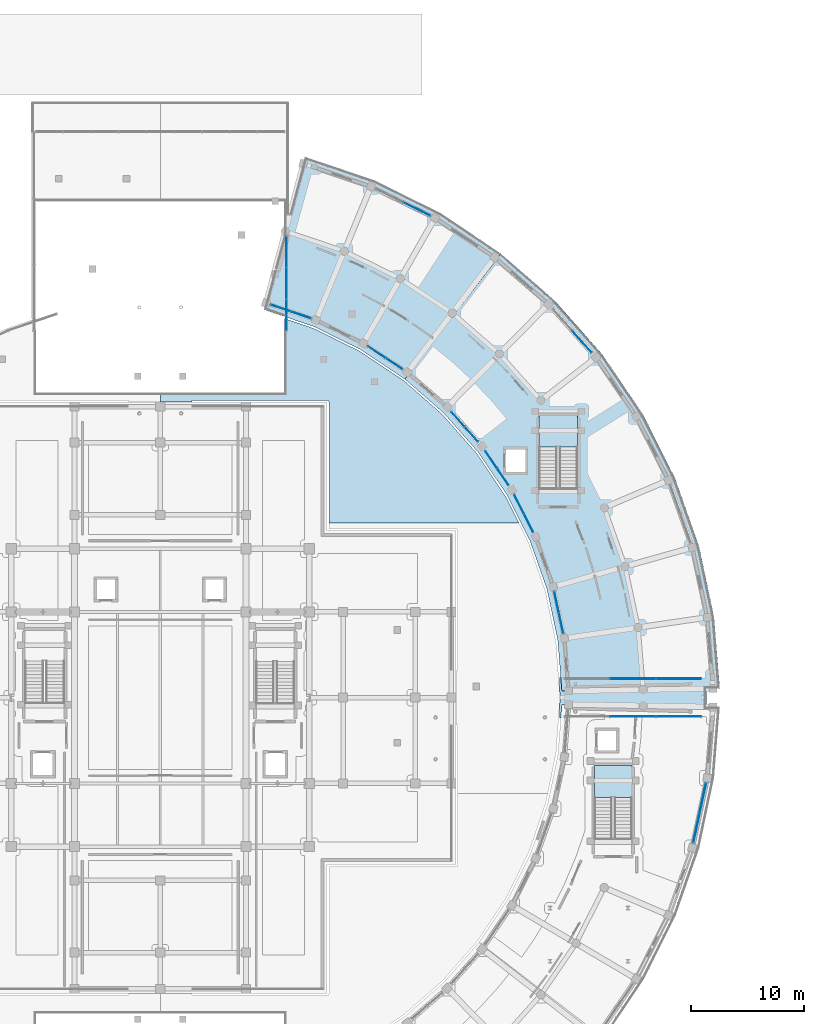
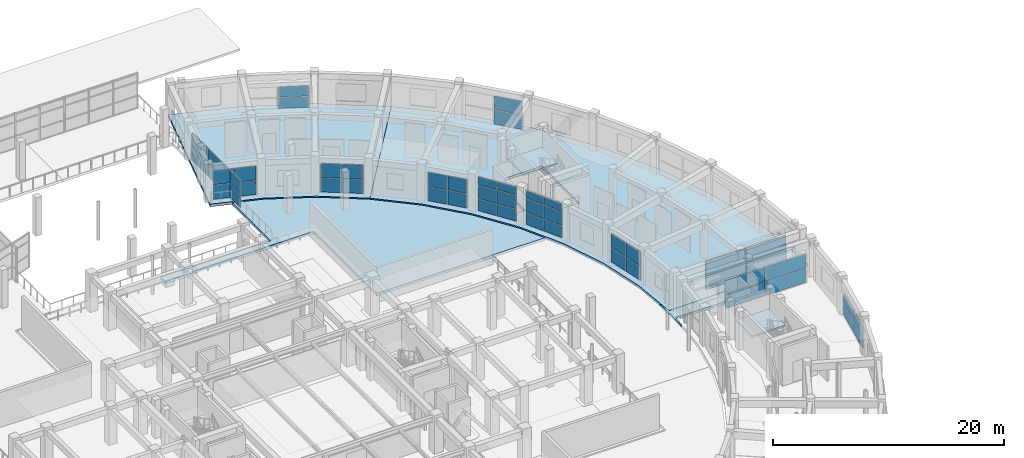
# One storey, part 51 of 87: 50 plates, 6 slabs, 14 elements without a shape of their own.
"""IFC4 building model written with IfcOpenShell, lengths in metres."""

import ifcopenshell
import ifcopenshell.guid

model = None  # the IFC model being written
_history = None  # IfcOwnerHistory: only IFC2X3 demands one
_inside = {}  # id of a spatial element -> (the spatial element, [elements in it])
_under = {}  # id of a project, library or spatial element -> (it, [spatial elements below it])
_declared = {}  # id of a project -> (the project, [libraries it declares])
_typed = {}  # id of a type object -> (the type object, [elements of that type])
_made_of = {}  # id of a material, layer set ... -> (it, [elements and type objects made of it])


def new_model(schema):
    """Start an empty IFC model of exactly this schema.

    Asked for "IFC4X3", IfcOpenShell would pick the latest addendum, in which some entities
    have other attributes; the version numbers below select the first issue.
    IFC2X3 requires an IfcOwnerHistory on every rooted entity: one is made here for all.
    """
    global model, _history
    if schema == "IFC4X3":
        model = ifcopenshell.file(schema_version=(4, 3, 0, 0))
    else:
        model = ifcopenshell.file(schema=schema)
    _inside.clear()
    _under.clear()
    _declared.clear()
    _typed.clear()
    _made_of.clear()
    _history = None
    if model.schema == "IFC2X3":
        org = make("IfcOrganization", Name="unknown")
        user = make(
            "IfcPersonAndOrganization",
            ThePerson=make("IfcPerson", FamilyName="unknown"),
            TheOrganization=org,
        )
        app = make(
            "IfcApplication",
            ApplicationDeveloper=org,
            Version="unknown",
            ApplicationFullName="unknown",
            ApplicationIdentifier="unknown",
        )
        _history = make(
            "IfcOwnerHistory",
            OwningUser=user,
            OwningApplication=app,
            ChangeAction="ADDED",
            CreationDate=0,
        )
    return model


def make(cls, **values):
    """One entity of the class cls with the attributes given. An attribute that is None is left unset."""
    return model.create_entity(
        cls, **{name: value for name, value in values.items() if value is not None}
    )


def rooted(cls, **values):
    """An entity with a GlobalId (a new one), such as an element, a storey or a relation."""
    return make(cls, GlobalId=ifcopenshell.guid.new(), OwnerHistory=_history, **values)


def si_unit(unit_type, name, prefix=None):
    """IfcSIUnit, for example si_unit("LENGTHUNIT", "METRE", prefix="MILLI")."""
    return make("IfcSIUnit", UnitType=unit_type, Prefix=prefix, Name=name)


def assignment(units):
    """IfcUnitAssignment: the units of a project."""
    return None if units is None else make("IfcUnitAssignment", Units=units)


def point(xyz):
    """IfcCartesianPoint."""
    return None if xyz is None else make("IfcCartesianPoint", Coordinates=xyz)


def direction(xyz):
    """IfcDirection."""
    return None if xyz is None else make("IfcDirection", DirectionRatios=xyz)


def frame(location, z_axis=None, x_axis=None):
    """IfcAxis2Placement3D, a coordinate frame: its origin and axes. An axis left out is left unset."""
    return make(
        "IfcAxis2Placement3D",
        Location=point(location),
        Axis=direction(z_axis),
        RefDirection=direction(x_axis),
    )


def frame_2d(location, x_axis=None):
    """IfcAxis2Placement2D, a coordinate frame in the plane: its origin and x axis."""
    return make(
        "IfcAxis2Placement2D", Location=point(location), RefDirection=direction(x_axis)
    )


def origin():
    """The frame at (0, 0, 0) with its axes left unset."""
    return frame((0.0, 0.0, 0.0))


def origin_2d():
    """The frame at (0, 0) in the plane with its x axis left unset."""
    return frame_2d((0.0, 0.0))


def place(relative_to, where):
    """IfcLocalPlacement: puts the frame where relative to a parent placement (None: the world)."""
    return make(
        "IfcLocalPlacement", PlacementRelTo=relative_to, RelativePlacement=where
    )


def context(
    kind, dimensions, precision=None, world=None, true_north=None, identifier=None
):
    """IfcGeometricRepresentationContext, for example the 3D "Model" context."""
    return make(
        "IfcGeometricRepresentationContext",
        ContextIdentifier=identifier,
        ContextType=kind,
        CoordinateSpaceDimension=dimensions,
        Precision=precision,
        WorldCoordinateSystem=world,
        TrueNorth=true_north,
    )


def subcontext(parent, identifier, kind, view, scale=None):
    """IfcGeometricRepresentationSubContext, for example "Body" below "Model"."""
    return make(
        "IfcGeometricRepresentationSubContext",
        ContextIdentifier=identifier,
        ContextType=kind,
        ParentContext=parent,
        TargetScale=scale,
        TargetView=view,
    )


def project(units=None, contexts=None):
    """IfcProject with its units and contexts."""
    return rooted(
        "IfcProject",
        Name="project",
        RepresentationContexts=contexts,
        UnitsInContext=assignment(units),
    )


def spatial(cls, under=None, at=None, **own):
    """A site, building, storey or space (cls), placed at a placement, below another one or the project."""
    s = rooted(cls, ObjectPlacement=at, **own)
    if under is not None:
        _under.setdefault(under.id(), (under, []))[1].append(s)
    return s


def polyline(points):
    """IfcPolyline through the points."""
    return make("IfcPolyline", Points=[point(p) for p in points])


def profile(cls, at=None, kind="AREA", **sizes):
    """A parametric profile (cls). Its sizes go by their IFC names, for example OverallWidth=200.0."""
    return make(cls, ProfileType=kind, Position=at, **sizes)


def rectangle(**sizes):
    """IfcRectangleProfileDef."""
    return profile("IfcRectangleProfileDef", **sizes)


def outline(outer, holes=None, kind="AREA"):
    """IfcArbitraryClosedProfileDef: a profile drawn as a closed curve; with holes, ...WithVoids."""
    if holes is None:
        return make("IfcArbitraryClosedProfileDef", ProfileType=kind, OuterCurve=outer)
    return make(
        "IfcArbitraryProfileDefWithVoids",
        ProfileType=kind,
        OuterCurve=outer,
        InnerCurves=holes,
    )


def extrude(swept, where, along, depth):
    """IfcExtrudedAreaSolid: the profile swept, set in the frame where, extruded along a direction by depth."""
    return make(
        "IfcExtrudedAreaSolid",
        SweptArea=swept,
        Position=where,
        ExtrudedDirection=direction(along),
        Depth=depth,
    )


def shape(context_of_items, identifier, shape_type, items):
    """IfcShapeRepresentation: the items that make up one representation, for example the "Body"."""
    return make(
        "IfcShapeRepresentation",
        ContextOfItems=context_of_items,
        RepresentationIdentifier=identifier,
        RepresentationType=shape_type,
        Items=items,
    )


def material(Name=None, Category=None):
    """IfcMaterial."""
    return make("IfcMaterial", Name=Name, Category=Category)


def layer(
    of_material, thickness, ventilated=None, Name=None, Category=None, Priority=None
):
    """IfcMaterialLayer: one layer of a wall or slab, of a material (None: an air gap)."""
    return make(
        "IfcMaterialLayer",
        Material=of_material,
        LayerThickness=thickness,
        IsVentilated=ventilated,
        Name=Name,
        Category=Category,
        Priority=Priority,
    )


def layer_set(layers, Name=None):
    """IfcMaterialLayerSet."""
    return make("IfcMaterialLayerSet", MaterialLayers=layers, LayerSetName=Name)


def made_of(thing, what):
    """Note that an element or type object is made of a material, layer set ...; save() writes the relation."""
    if what is not None:
        _made_of.setdefault(what.id(), (what, []))[1].append(thing)
    return thing


def type_object(cls, material=None, **own):
    """A type object (cls), such as IfcWallType, which elements share."""
    return made_of(rooted(cls, **own), material)


def element(
    cls,
    number,
    at=None,
    inside=None,
    cuts=None,
    type_object=None,
    material=None,
    context=None,
    identifier="Body",
    shape_type=None,
    held_by="IfcProductDefinitionShape",
    body=None,
    shapes=None,
    **own,
):
    """One element of the class cls, such as IfcWall. Its Tag is "e" and its number.

    at: its placement. inside: the storey or other place that contains it. cuts: it is an
    opening in that element (IfcRelVoidsElement). A single representation is given by context,
    identifier, shape_type and body (its items); several are given by shapes. held_by: the class
    of the entity that holds the representations. save() writes the other relations.
    """
    e = rooted(cls, Tag="e%d" % number, ObjectPlacement=at, **own)
    if body is not None:
        shapes = [shape(context, identifier, shape_type, body)]
    if shapes is not None:
        e.Representation = make(held_by, Representations=shapes)
    if inside is not None:
        _inside.setdefault(inside.id(), (inside, []))[1].append(e)
    if cuts is not None:
        rooted(
            "IfcRelVoidsElement", RelatingBuildingElement=cuts, RelatedOpeningElement=e
        )
    if type_object is not None:
        _typed.setdefault(type_object.id(), (type_object, []))[1].append(e)
    return made_of(e, material)


def aggregate(whole, parts):
    """IfcRelAggregates: a whole, such as a stair, and the parts it consists of."""
    return rooted("IfcRelAggregates", RelatingObject=whole, RelatedObjects=parts)


def save(model, path):
    """Write the relations noted so far, then the file.

    IfcRelAggregates (storeys below a building ...), IfcRelContainedInSpatialStructure (elements
    in a storey), IfcRelDefinesByType, IfcRelAssociatesMaterial and IfcRelDeclares: one each for
    every whole, place, type object, material and project.
    """
    for whole, parts in _under.values():
        aggregate(whole, parts)
    for where, things in _inside.values():
        rooted(
            "IfcRelContainedInSpatialStructure",
            RelatedElements=things,
            RelatingStructure=where,
        )
    for kind, things in _typed.values():
        rooted("IfcRelDefinesByType", RelatedObjects=things, RelatingType=kind)
    for what, things in _made_of.values():
        rooted("IfcRelAssociatesMaterial", RelatedObjects=things, RelatingMaterial=what)
    for by, libraries in _declared.values():
        rooted("IfcRelDeclares", RelatingContext=by, RelatedDefinitions=libraries)
    model.write(path)


model = new_model("IFC4")

# Units and contexts
model_context = context("Model", 3, precision=1e-05, world=origin(), true_north=direction((0.0, 1.0)))
body_context = subcontext(model_context, "Body", "Model", "MODEL_VIEW")
ifc_project = project(units=[si_unit("LENGTHUNIT", "METRE"), si_unit("AREAUNIT", "SQUARE_METRE"), si_unit("VOLUMEUNIT", "CUBIC_METRE"), si_unit("PLANEANGLEUNIT", "RADIAN"), si_unit("MASSUNIT", "GRAM", prefix="KILO")], contexts=[model_context])

# Site, building, storey
site_placement = place(None, origin())
site = spatial("IfcSite", under=ifc_project, at=site_placement, CompositionType="ELEMENT")
building_placement = place(site_placement, origin())
building = spatial("IfcBuilding", under=site, at=building_placement, Name="Saryqyr Civic Hall", CompositionType="ELEMENT")
storey_placement = place(building_placement, frame((0.0, 0.0, 5.10009765625)))
storey = spatial("IfcBuildingStorey", under=building, at=storey_placement, Name="L01", CompositionType="ELEMENT", Elevation=5.10009765625)

# Curtain wall, plates
ifc_material_1 = material(Name="Anodised aluminium and triple low-E glass", Category="aluminium")
curtain_wall_type_1 = type_object("IfcCurtainWallType", Name="ENV-CW-STD-38", PredefinedType="NOTDEFINED", material=ifc_material_1)
curtain_wall_1_placement = place(storey_placement, origin())
curtain_wall_1 = element("IfcCurtainWall", 1, at=curtain_wall_1_placement, inside=storey, type_object=curtain_wall_type_1, Name="Curtain wall V5-CWO-L01-08", PredefinedType="NOTDEFINED")
ifc_material_2 = material(Name="Triple low-E insulated glazing", Category="glass")
ifc_layer_1 = layer(ifc_material_2, 0.053955078125, Name="Triple low-E insulated glazing")
ifc_layer_set_1 = layer_set([ifc_layer_1], Name="Triple low-E insulated glazing")
plate_type = type_object("IfcPlateType", Name="ENV-CW-PNL-38", PredefinedType="CURTAIN_PANEL", material=ifc_layer_set_1)
plate_1_placement = place(storey_placement, frame((105.104736328125, 75.123046875, 0.06005859375), z_axis=(0.0, 0.0, 1.0), x_axis=(-0.208901785507, -0.977936625765, 0.0)))
plate_1 = element("IfcPlate", 2, at=plate_1_placement, type_object=plate_type, Name="CW-38 panel 1.1", PredefinedType="CURTAIN_PANEL", context=body_context, shape_type="SweptSolid", body=[
    extrude(rectangle(XDim=2.67529296875, YDim=0.053955078125, at=origin_2d()), origin(), (0.0, 0.0, 1.0), 1.135009765625),
])
plate_2_placement = place(storey_placement, frame((105.104736328125, 75.123046875, 1.2548828125), z_axis=(0.0, 0.0, 1.0), x_axis=(-0.208901785507, -0.977936625765, 0.0)))
plate_2 = element("IfcPlate", 3, at=plate_2_placement, type_object=plate_type, Name="CW-38 panel 1.2", PredefinedType="CURTAIN_PANEL", context=body_context, shape_type="SweptSolid", body=[
    extrude(rectangle(XDim=2.67529296875, YDim=0.053955078125, at=origin_2d()), origin(), (0.0, 0.0, 1.0), 1.135009765625),
])
plate_3_placement = place(storey_placement, frame((104.533203125, 72.447998046875, 0.06005859375), z_axis=(0.0, 0.0, 1.0), x_axis=(-0.208901785507, -0.977936625765, 0.0)))
plate_3 = element("IfcPlate", 4, at=plate_3_placement, type_object=plate_type, Name="CW-38 panel 2.1", PredefinedType="CURTAIN_PANEL", context=body_context, shape_type="SweptSolid", body=[
    extrude(rectangle(XDim=2.67529296875, YDim=0.053955078125, at=origin_2d()), origin(), (0.0, 0.0, 1.0), 1.135009765625),
])
plate_4_placement = place(storey_placement, frame((104.533203125, 72.447998046875, 1.2548828125), z_axis=(0.0, 0.0, 1.0), x_axis=(-0.208901785507, -0.977936625765, 0.0)))
plate_4 = element("IfcPlate", 5, at=plate_4_placement, type_object=plate_type, Name="CW-38 panel 2.2", PredefinedType="CURTAIN_PANEL", context=body_context, shape_type="SweptSolid", body=[
    extrude(rectangle(XDim=2.67529296875, YDim=0.053955078125, at=origin_2d()), origin(), (0.0, 0.0, 1.0), 1.135009765625),
])
aggregate(curtain_wall_1, [plate_1, plate_2, plate_3, plate_4])

curtain_wall_type_2 = type_object("IfcCurtainWallType", Name="ENV-CW-STD-17", PredefinedType="NOTDEFINED", material=ifc_material_1)
curtain_wall_2_placement = place(storey_placement, origin())
curtain_wall_2 = element("IfcCurtainWall", 6, at=curtain_wall_2_placement, inside=storey, type_object=curtain_wall_type_2, Name="Curtain wall V6-CWI-L01-01", PredefinedType="NOTDEFINED")
plate_5_placement = place(storey_placement, frame((92.52685546875, 90.61279296875, 0.059814453125), z_axis=(0.0, 0.0, 1.0), x_axis=(-0.208889731918, 0.977939200513, 0.0)))
plate_5 = element("IfcPlate", 7, at=plate_5_placement, type_object=plate_type, Name="CW-17 panel 1.1", PredefinedType="CURTAIN_PANEL", context=body_context, shape_type="SweptSolid", body=[
    extrude(rectangle(XDim=1.848876953125, YDim=0.053955078125, at=origin_2d()), origin(), (0.0, 0.0, 1.0), 1.48193359375),
])
plate_6_placement = place(storey_placement, frame((92.52685546875, 90.61279296875, 1.60205078125), z_axis=(0.0, 0.0, 1.0), x_axis=(-0.208889731918, 0.977939200513, 0.0)))
plate_6 = element("IfcPlate", 8, at=plate_6_placement, type_object=plate_type, Name="CW-17 panel 1.2", PredefinedType="CURTAIN_PANEL", context=body_context, shape_type="SweptSolid", body=[
    extrude(rectangle(XDim=1.848876953125, YDim=0.053955078125, at=origin_2d()), origin(), (0.0, 0.0, 1.0), 1.48291015625),
])
plate_7_placement = place(storey_placement, frame((92.128173828125, 92.4794921875, 0.059814453125), z_axis=(0.0, 0.0, 1.0), x_axis=(-0.208889731918, 0.977939200513, 0.0)))
plate_7 = element("IfcPlate", 9, at=plate_7_placement, type_object=plate_type, Name="CW-17 panel 2.1", PredefinedType="CURTAIN_PANEL", context=body_context, shape_type="SweptSolid", body=[
    extrude(rectangle(XDim=1.848876953125, YDim=0.053955078125, at=origin_2d()), origin(), (0.0, 0.0, 1.0), 1.48193359375),
])
plate_8_placement = place(storey_placement, frame((92.128173828125, 92.4794921875, 1.60205078125), z_axis=(0.0, 0.0, 1.0), x_axis=(-0.208889731918, 0.977939200513, 0.0)))
plate_8 = element("IfcPlate", 10, at=plate_8_placement, type_object=plate_type, Name="CW-17 panel 2.2", PredefinedType="CURTAIN_PANEL", context=body_context, shape_type="SweptSolid", body=[
    extrude(rectangle(XDim=1.848876953125, YDim=0.053955078125, at=origin_2d()), origin(), (0.0, 0.0, 1.0), 1.48291015625),
])
aggregate(curtain_wall_2, [plate_5, plate_6, plate_7, plate_8])

curtain_wall_type_3 = type_object("IfcCurtainWallType", Name="ENV-CW-STD-44", PredefinedType="NOTDEFINED", material=ifc_material_1)
curtain_wall_3_placement = place(storey_placement, origin())
curtain_wall_3 = element("IfcCurtainWall", 11, at=curtain_wall_3_placement, inside=storey, type_object=curtain_wall_type_3, Name="Curtain wall V6-CWI-L01-03", PredefinedType="NOTDEFINED")
plate_9_placement = place(storey_placement, frame((89.647705078125, 99.491455078125, 0.06005859375), z_axis=(0.0, 0.0, 1.0), x_axis=(-0.451922084495, 0.892057413817, 0.0)))
plate_9 = element("IfcPlate", 12, at=plate_9_placement, type_object=plate_type, Name="CW-44 panel 1.1", PredefinedType="CURTAIN_PANEL", context=body_context, shape_type="SweptSolid", body=[
    extrude(rectangle(XDim=1.810546875, YDim=0.053955078125, at=origin_2d()), origin(), (0.0, 0.0, 1.0), 1.241943359375),
])
plate_10_placement = place(storey_placement, frame((89.647705078125, 99.491455078125, 1.362060546875), z_axis=(0.0, 0.0, 1.0), x_axis=(-0.451922084495, 0.892057413817, 0.0)))
plate_10 = element("IfcPlate", 13, at=plate_10_placement, type_object=plate_type, Name="CW-44 panel 1.2", PredefinedType="CURTAIN_PANEL", context=body_context, shape_type="SweptSolid", body=[
    extrude(rectangle(XDim=1.810546875, YDim=0.053955078125, at=origin_2d()), origin(), (0.0, 0.0, 1.0), 1.419921875),
])
plate_11_placement = place(storey_placement, frame((89.647705078125, 99.491455078125, 2.841796875), z_axis=(0.0, 0.0, 1.0), x_axis=(-0.451922084495, 0.892057413817, 0.0)))
plate_11 = element("IfcPlate", 14, at=plate_11_placement, type_object=plate_type, Name="CW-44 panel 1.3", PredefinedType="CURTAIN_PANEL", context=body_context, shape_type="SweptSolid", body=[
    extrude(rectangle(XDim=1.810546875, YDim=0.053955078125, at=origin_2d()), origin(), (0.0, 0.0, 1.0), 0.798095703125),
])
plate_12_placement = place(storey_placement, frame((88.80224609375, 101.159912109375, 0.06005859375), z_axis=(0.0, 0.0, 1.0), x_axis=(-0.451922084495, 0.892057413817, 0.0)))
plate_12 = element("IfcPlate", 15, at=plate_12_placement, type_object=plate_type, Name="CW-44 panel 2.1", PredefinedType="CURTAIN_PANEL", context=body_context, shape_type="SweptSolid", body=[
    extrude(rectangle(XDim=1.810546875, YDim=0.053955078125, at=origin_2d()), origin(), (0.0, 0.0, 1.0), 1.241943359375),
])
plate_13_placement = place(storey_placement, frame((88.80224609375, 101.159912109375, 1.362060546875), z_axis=(0.0, 0.0, 1.0), x_axis=(-0.451922084495, 0.892057413817, 0.0)))
plate_13 = element("IfcPlate", 16, at=plate_13_placement, type_object=plate_type, Name="CW-44 panel 2.2", PredefinedType="CURTAIN_PANEL", context=body_context, shape_type="SweptSolid", body=[
    extrude(rectangle(XDim=1.810546875, YDim=0.053955078125, at=origin_2d()), origin(), (0.0, 0.0, 1.0), 1.419921875),
])
plate_14_placement = place(storey_placement, frame((88.80224609375, 101.159912109375, 2.841796875), z_axis=(0.0, 0.0, 1.0), x_axis=(-0.451922084495, 0.892057413817, 0.0)))
plate_14 = element("IfcPlate", 17, at=plate_14_placement, type_object=plate_type, Name="CW-44 panel 2.3", PredefinedType="CURTAIN_PANEL", context=body_context, shape_type="SweptSolid", body=[
    extrude(rectangle(XDim=1.810546875, YDim=0.053955078125, at=origin_2d()), origin(), (0.0, 0.0, 1.0), 0.798095703125),
])
aggregate(curtain_wall_3, [plate_9, plate_10, plate_11, plate_12, plate_13, plate_14])

curtain_wall_type_4 = type_object("IfcCurtainWallType", Name="ENV-CW-STD-45", PredefinedType="NOTDEFINED", material=ifc_material_1)
curtain_wall_4_placement = place(storey_placement, origin())
curtain_wall_4 = element("IfcCurtainWall", 18, at=curtain_wall_4_placement, inside=storey, type_object=curtain_wall_type_4, Name="Curtain wall V6-CWI-L01-04", PredefinedType="NOTDEFINED")
plate_15_placement = place(storey_placement, frame((87.368896484375, 103.584228515625, 0.06005859375), z_axis=(0.0, 0.0, 1.0), x_axis=(-0.563119759928, 0.826375299715, 0.0)))
plate_15 = element("IfcPlate", 19, at=plate_15_placement, type_object=plate_type, Name="CW-45 panel 1.1", PredefinedType="CURTAIN_PANEL", context=body_context, shape_type="SweptSolid", body=[
    extrude(rectangle(XDim=1.775634765625, YDim=0.053955078125, at=origin_2d()), origin(), (0.0, 0.0, 1.0), 1.241943359375),
])
plate_16_placement = place(storey_placement, frame((87.368896484375, 103.584228515625, 1.362060546875), z_axis=(0.0, 0.0, 1.0), x_axis=(-0.563119759928, 0.826375299715, 0.0)))
plate_16 = element("IfcPlate", 20, at=plate_16_placement, type_object=plate_type, Name="CW-45 panel 1.2", PredefinedType="CURTAIN_PANEL", context=body_context, shape_type="SweptSolid", body=[
    extrude(rectangle(XDim=1.775634765625, YDim=0.053955078125, at=origin_2d()), origin(), (0.0, 0.0, 1.0), 1.419921875),
])
plate_17_placement = place(storey_placement, frame((87.368896484375, 103.584228515625, 2.841796875), z_axis=(0.0, 0.0, 1.0), x_axis=(-0.563119759928, 0.826375299715, 0.0)))
plate_17 = element("IfcPlate", 21, at=plate_17_placement, type_object=plate_type, Name="CW-45 panel 1.3", PredefinedType="CURTAIN_PANEL", context=body_context, shape_type="SweptSolid", body=[
    extrude(rectangle(XDim=1.775634765625, YDim=0.053955078125, at=origin_2d()), origin(), (0.0, 0.0, 1.0), 0.798095703125),
])
plate_18_placement = place(storey_placement, frame((86.335205078125, 105.101318359375, 0.06005859375), z_axis=(0.0, 0.0, 1.0), x_axis=(-0.563119759928, 0.826375299715, 0.0)))
plate_18 = element("IfcPlate", 22, at=plate_18_placement, type_object=plate_type, Name="CW-45 panel 2.1", PredefinedType="CURTAIN_PANEL", context=body_context, shape_type="SweptSolid", body=[
    extrude(rectangle(XDim=1.775634765625, YDim=0.053955078125, at=origin_2d()), origin(), (0.0, 0.0, 1.0), 1.241943359375),
])
plate_19_placement = place(storey_placement, frame((86.335205078125, 105.101318359375, 1.362060546875), z_axis=(0.0, 0.0, 1.0), x_axis=(-0.563119759928, 0.826375299715, 0.0)))
plate_19 = element("IfcPlate", 23, at=plate_19_placement, type_object=plate_type, Name="CW-45 panel 2.2", PredefinedType="CURTAIN_PANEL", context=body_context, shape_type="SweptSolid", body=[
    extrude(rectangle(XDim=1.775634765625, YDim=0.053955078125, at=origin_2d()), origin(), (0.0, 0.0, 1.0), 1.419921875),
])
plate_20_placement = place(storey_placement, frame((86.335205078125, 105.101318359375, 2.841796875), z_axis=(0.0, 0.0, 1.0), x_axis=(-0.563119759928, 0.826375299715, 0.0)))
plate_20 = element("IfcPlate", 24, at=plate_20_placement, type_object=plate_type, Name="CW-45 panel 2.3", PredefinedType="CURTAIN_PANEL", context=body_context, shape_type="SweptSolid", body=[
    extrude(rectangle(XDim=1.775634765625, YDim=0.053955078125, at=origin_2d()), origin(), (0.0, 0.0, 1.0), 0.798095703125),
])
aggregate(curtain_wall_4, [plate_15, plate_16, plate_17, plate_18, plate_19, plate_20])

curtain_wall_type_5 = type_object("IfcCurtainWallType", Name="ENV-CW-STD-46", PredefinedType="NOTDEFINED", material=ifc_material_1)
curtain_wall_5_placement = place(storey_placement, origin())
curtain_wall_5 = element("IfcCurtainWall", 25, at=curtain_wall_5_placement, inside=storey, type_object=curtain_wall_type_5, Name="Curtain wall V6-CWO-L01-05", PredefinedType="NOTDEFINED")
plate_21_placement = place(storey_placement, frame((94.39013671875, 115.53857421875, 0.059814453125), z_axis=(0.0, 0.0, 1.0), x_axis=(0.664936864868, -0.74689956871, 0.0)))
plate_21 = element("IfcPlate", 26, at=plate_21_placement, type_object=plate_type, Name="CW-46 panel 2.1", PredefinedType="CURTAIN_PANEL", context=body_context, shape_type="SweptSolid", body=[
    extrude(rectangle(XDim=2.552001953125, YDim=0.053955078125, at=origin_2d()), origin(), (0.0, 0.0, 1.0), 1.48193359375),
])
plate_22_placement = place(storey_placement, frame((94.39013671875, 115.53857421875, 1.60205078125), z_axis=(0.0, 0.0, 1.0), x_axis=(0.664936864868, -0.74689956871, 0.0)))
plate_22 = element("IfcPlate", 27, at=plate_22_placement, type_object=plate_type, Name="CW-46 panel 2.2", PredefinedType="CURTAIN_PANEL", context=body_context, shape_type="SweptSolid", body=[
    extrude(rectangle(XDim=2.552001953125, YDim=0.053955078125, at=origin_2d()), origin(), (0.0, 0.0, 1.0), 1.48291015625),
])
aggregate(curtain_wall_5, [plate_21, plate_22])

curtain_wall_type_6 = type_object("IfcCurtainWallType", Name="ENV-CW-STD-37", PredefinedType="NOTDEFINED", material=ifc_material_1)
curtain_wall_6_placement = place(storey_placement, origin())
curtain_wall_6 = element("IfcCurtainWall", 28, at=curtain_wall_6_placement, inside=storey, type_object=curtain_wall_type_6, Name="Curtain wall V6-CWI-L01-05", PredefinedType="NOTDEFINED")
plate_23_placement = place(storey_placement, frame((84.574951171875, 107.353759765625, 0.059814453125), z_axis=(0.0, 0.0, 1.0), x_axis=(-0.664938004684, 0.746898553973, 0.0)))
plate_23 = element("IfcPlate", 29, at=plate_23_placement, type_object=plate_type, Name="CW-37 panel 1.1", PredefinedType="CURTAIN_PANEL", context=body_context, shape_type="SweptSolid", body=[
    extrude(rectangle(XDim=1.7255859375, YDim=0.053955078125, at=origin_2d()), origin(), (0.0, 0.0, 1.0), 1.48193359375),
])
plate_24_placement = place(storey_placement, frame((84.574951171875, 107.353759765625, 1.60205078125), z_axis=(0.0, 0.0, 1.0), x_axis=(-0.664938004684, 0.746898553973, 0.0)))
plate_24 = element("IfcPlate", 30, at=plate_24_placement, type_object=plate_type, Name="CW-37 panel 1.2", PredefinedType="CURTAIN_PANEL", context=body_context, shape_type="SweptSolid", body=[
    extrude(rectangle(XDim=1.7255859375, YDim=0.053955078125, at=origin_2d()), origin(), (0.0, 0.0, 1.0), 1.48291015625),
])
plate_25_placement = place(storey_placement, frame((83.3876953125, 108.687255859375, 0.059814453125), z_axis=(0.0, 0.0, 1.0), x_axis=(-0.664938004684, 0.746898553973, 0.0)))
plate_25 = element("IfcPlate", 31, at=plate_25_placement, type_object=plate_type, Name="CW-37 panel 2.1", PredefinedType="CURTAIN_PANEL", context=body_context, shape_type="SweptSolid", body=[
    extrude(rectangle(XDim=1.7255859375, YDim=0.053955078125, at=origin_2d()), origin(), (0.0, 0.0, 1.0), 1.48193359375),
])
plate_26_placement = place(storey_placement, frame((83.3876953125, 108.687255859375, 1.60205078125), z_axis=(0.0, 0.0, 1.0), x_axis=(-0.664938004684, 0.746898553973, 0.0)))
plate_26 = element("IfcPlate", 32, at=plate_26_placement, type_object=plate_type, Name="CW-37 panel 2.2", PredefinedType="CURTAIN_PANEL", context=body_context, shape_type="SweptSolid", body=[
    extrude(rectangle(XDim=1.7255859375, YDim=0.053955078125, at=origin_2d()), origin(), (0.0, 0.0, 1.0), 1.48291015625),
])
aggregate(curtain_wall_6, [plate_23, plate_24, plate_25, plate_26])

curtain_wall_type_7 = type_object("IfcCurtainWallType", Name="ENV-CW-STD-18", PredefinedType="NOTDEFINED", material=ifc_material_1)
curtain_wall_7_placement = place(storey_placement, origin())
curtain_wall_7 = element("IfcCurtainWall", 33, at=curtain_wall_7_placement, inside=storey, type_object=curtain_wall_type_7, Name="Curtain wall V6-CWI-L01-07", PredefinedType="NOTDEFINED")
plate_27_placement = place(storey_placement, frame((77.7119140625, 113.611572265625, 0.059814453125), z_axis=(0.0, 0.0, 1.0), x_axis=(-0.833778164211, 0.552099604133, 0.0)))
plate_27 = element("IfcPlate", 34, at=plate_27_placement, type_object=plate_type, Name="CW-18 panel 1.1", PredefinedType="CURTAIN_PANEL", context=body_context, shape_type="SweptSolid", body=[
    extrude(rectangle(XDim=1.77978515625, YDim=0.053955078125, at=origin_2d()), origin(), (0.0, 0.0, 1.0), 1.48193359375),
])
plate_28_placement = place(storey_placement, frame((77.7119140625, 113.611572265625, 1.60205078125), z_axis=(0.0, 0.0, 1.0), x_axis=(-0.833778164211, 0.552099604133, 0.0)))
plate_28 = element("IfcPlate", 35, at=plate_28_placement, type_object=plate_type, Name="CW-18 panel 1.2", PredefinedType="CURTAIN_PANEL", context=body_context, shape_type="SweptSolid", body=[
    extrude(rectangle(XDim=1.77978515625, YDim=0.053955078125, at=origin_2d()), origin(), (0.0, 0.0, 1.0), 1.48291015625),
])
plate_29_placement = place(storey_placement, frame((76.177978515625, 114.627197265625, 0.059814453125), z_axis=(0.0, 0.0, 1.0), x_axis=(-0.833778164211, 0.552099604133, 0.0)))
plate_29 = element("IfcPlate", 36, at=plate_29_placement, type_object=plate_type, Name="CW-18 panel 2.1", PredefinedType="CURTAIN_PANEL", context=body_context, shape_type="SweptSolid", body=[
    extrude(rectangle(XDim=1.77978515625, YDim=0.053955078125, at=origin_2d()), origin(), (0.0, 0.0, 1.0), 1.48193359375),
])
plate_30_placement = place(storey_placement, frame((76.177978515625, 114.627197265625, 1.60205078125), z_axis=(0.0, 0.0, 1.0), x_axis=(-0.833778164211, 0.552099604133, 0.0)))
plate_30 = element("IfcPlate", 37, at=plate_30_placement, type_object=plate_type, Name="CW-18 panel 2.2", PredefinedType="CURTAIN_PANEL", context=body_context, shape_type="SweptSolid", body=[
    extrude(rectangle(XDim=1.77978515625, YDim=0.053955078125, at=origin_2d()), origin(), (0.0, 0.0, 1.0), 1.48291015625),
])
aggregate(curtain_wall_7, [plate_27, plate_28, plate_29, plate_30])

curtain_wall_8_placement = place(storey_placement, origin())
curtain_wall_8 = element("IfcCurtainWall", 38, at=curtain_wall_8_placement, inside=storey, type_object=curtain_wall_type_1, Name="Curtain wall V6-CWO-L01-08", PredefinedType="NOTDEFINED")
plate_31_placement = place(storey_placement, frame((79.72998046875, 127.314697265625, 0.06005859375), z_axis=(0.0, 0.0, 1.0), x_axis=(0.897970253811, -0.440056159224, 0.0)))
plate_31 = element("IfcPlate", 39, at=plate_31_placement, type_object=plate_type, Name="CW-38 panel 2.1", PredefinedType="CURTAIN_PANEL", context=body_context, shape_type="SweptSolid", body=[
    extrude(rectangle(XDim=2.639892578125, YDim=0.053955078125, at=origin_2d()), origin(), (0.0, 0.0, 1.0), 1.135009765625),
])
plate_32_placement = place(storey_placement, frame((79.72998046875, 127.314697265625, 1.2548828125), z_axis=(0.0, 0.0, 1.0), x_axis=(0.897970253811, -0.440056159224, 0.0)))
plate_32 = element("IfcPlate", 40, at=plate_32_placement, type_object=plate_type, Name="CW-38 panel 2.2", PredefinedType="CURTAIN_PANEL", context=body_context, shape_type="SweptSolid", body=[
    extrude(rectangle(XDim=2.639892578125, YDim=0.053955078125, at=origin_2d()), origin(), (0.0, 0.0, 1.0), 1.135009765625),
])
aggregate(curtain_wall_8, [plate_31, plate_32])

curtain_wall_type_8 = type_object("IfcCurtainWallType", Name="ENV-CW-STD-20", PredefinedType="NOTDEFINED", material=ifc_material_1)
curtain_wall_9_placement = place(storey_placement, origin())
curtain_wall_9 = element("IfcCurtainWall", 41, at=curtain_wall_9_placement, inside=storey, type_object=curtain_wall_type_8, Name="Curtain wall V6-CWI-L01-09", PredefinedType="NOTDEFINED")
plate_33_placement = place(storey_placement, frame((69.4814453125, 117.9130859375, 0.059814453125), z_axis=(0.0, 0.0, 1.0), x_axis=(-0.947198381274, 0.32064813505, 0.0)))
plate_33 = element("IfcPlate", 42, at=plate_33_placement, type_object=plate_type, Name="CW-20 panel 1.1", PredefinedType="CURTAIN_PANEL", context=body_context, shape_type="SweptSolid", body=[
    extrude(rectangle(XDim=1.8359375, YDim=0.053955078125, at=origin_2d()), origin(), (0.0, 0.0, 1.0), 1.48193359375),
])
plate_34_placement = place(storey_placement, frame((69.4814453125, 117.9130859375, 1.60205078125), z_axis=(0.0, 0.0, 1.0), x_axis=(-0.947198381274, 0.32064813505, 0.0)))
plate_34 = element("IfcPlate", 43, at=plate_34_placement, type_object=plate_type, Name="CW-20 panel 1.2", PredefinedType="CURTAIN_PANEL", context=body_context, shape_type="SweptSolid", body=[
    extrude(rectangle(XDim=1.8359375, YDim=0.053955078125, at=origin_2d()), origin(), (0.0, 0.0, 1.0), 1.48291015625),
])
plate_35_placement = place(storey_placement, frame((67.685546875, 118.52099609375, 0.059814453125), z_axis=(0.0, 0.0, 1.0), x_axis=(-0.947198381274, 0.32064813505, 0.0)))
plate_35 = element("IfcPlate", 44, at=plate_35_placement, type_object=plate_type, Name="CW-20 panel 2.1", PredefinedType="CURTAIN_PANEL", context=body_context, shape_type="SweptSolid", body=[
    extrude(rectangle(XDim=1.8359375, YDim=0.053955078125, at=origin_2d()), origin(), (0.0, 0.0, 1.0), 1.48193359375),
])
plate_36_placement = place(storey_placement, frame((67.685546875, 118.52099609375, 1.60205078125), z_axis=(0.0, 0.0, 1.0), x_axis=(-0.947198381274, 0.32064813505, 0.0)))
plate_36 = element("IfcPlate", 45, at=plate_36_placement, type_object=plate_type, Name="CW-20 panel 2.2", PredefinedType="CURTAIN_PANEL", context=body_context, shape_type="SweptSolid", body=[
    extrude(rectangle(XDim=1.8359375, YDim=0.053955078125, at=origin_2d()), origin(), (0.0, 0.0, 1.0), 1.48291015625),
])
aggregate(curtain_wall_9, [plate_33, plate_34, plate_35, plate_36])

curtain_wall_type_9 = type_object("IfcCurtainWallType", Name="ENV-CW-STD-73", PredefinedType="NOTDEFINED", material=ifc_material_1)
curtain_wall_10_placement = place(storey_placement, origin())
curtain_wall_10 = element("IfcCurtainWall", 46, at=curtain_wall_10_placement, inside=storey, type_object=curtain_wall_type_9, Name="Curtain wall V2-VESTFLK-NE-L01", PredefinedType="NOTDEFINED")
plate_37_placement = place(storey_placement, frame((68.199951171875, 123.507080078125, 0.06005859375), z_axis=(0.0, 0.0, 1.0), x_axis=(0.0, -1.0, 0.0)))
plate_37 = element("IfcPlate", 47, at=plate_37_placement, type_object=plate_type, Name="CW-73 panel 1.1", PredefinedType="CURTAIN_PANEL", context=body_context, shape_type="SweptSolid", body=[
    extrude(rectangle(XDim=2.71875, YDim=0.053955078125, at=origin_2d()), origin(), (0.0, 0.0, 1.0), 1.407958984375),
])
plate_38_placement = place(storey_placement, frame((68.199951171875, 123.507080078125, 1.52783203125), z_axis=(0.0, 0.0, 1.0), x_axis=(0.0, -1.0, 0.0)))
plate_38 = element("IfcPlate", 48, at=plate_38_placement, type_object=plate_type, Name="CW-73 panel 1.2", PredefinedType="CURTAIN_PANEL", context=body_context, shape_type="SweptSolid", body=[
    extrude(rectangle(XDim=2.71875, YDim=0.053955078125, at=origin_2d()), origin(), (0.0, 0.0, 1.0), 1.406982421875),
])
plate_39_placement = place(storey_placement, frame((68.199951171875, 120.71337890625, 0.06005859375), z_axis=(0.0, 0.0, 1.0), x_axis=(0.0, -1.0, 0.0)))
plate_39 = element("IfcPlate", 49, at=plate_39_placement, type_object=plate_type, Name="CW-73 panel 2.1", PredefinedType="CURTAIN_PANEL", context=body_context, shape_type="SweptSolid", body=[
    extrude(rectangle(XDim=2.748779296875, YDim=0.053955078125, at=origin_2d()), origin(), (0.0, 0.0, 1.0), 1.407958984375),
])
plate_40_placement = place(storey_placement, frame((68.199951171875, 120.71337890625, 1.52783203125), z_axis=(0.0, 0.0, 1.0), x_axis=(0.0, -1.0, 0.0)))
plate_40 = element("IfcPlate", 50, at=plate_40_placement, type_object=plate_type, Name="CW-73 panel 2.2", PredefinedType="CURTAIN_PANEL", context=body_context, shape_type="SweptSolid", body=[
    extrude(rectangle(XDim=2.748779296875, YDim=0.053955078125, at=origin_2d()), origin(), (0.0, 0.0, 1.0), 1.406982421875),
])
plate_41_placement = place(storey_placement, frame((68.199951171875, 117.91943359375, 0.06005859375), z_axis=(0.0, 0.0, 1.0), x_axis=(0.0, -1.0, 0.0)))
plate_41 = element("IfcPlate", 51, at=plate_41_placement, type_object=plate_type, Name="CW-73 panel 3.1", PredefinedType="CURTAIN_PANEL", context=body_context, shape_type="SweptSolid", body=[
    extrude(rectangle(XDim=2.71875, YDim=0.053955078125, at=origin_2d()), origin(), (0.0, 0.0, 1.0), 1.407958984375),
])
plate_42_placement = place(storey_placement, frame((68.199951171875, 117.91943359375, 1.52783203125), z_axis=(0.0, 0.0, 1.0), x_axis=(0.0, -1.0, 0.0)))
plate_42 = element("IfcPlate", 52, at=plate_42_placement, type_object=plate_type, Name="CW-73 panel 3.2", PredefinedType="CURTAIN_PANEL", context=body_context, shape_type="SweptSolid", body=[
    extrude(rectangle(XDim=2.71875, YDim=0.053955078125, at=origin_2d()), origin(), (0.0, 0.0, 1.0), 1.406982421875),
])
aggregate(curtain_wall_10, [plate_37, plate_38, plate_39, plate_40, plate_41, plate_42])

curtain_wall_type_10 = type_object("IfcCurtainWallType", Name="ENV-CW-STD-81", PredefinedType="NOTDEFINED", material=ifc_material_1)
curtain_wall_11_placement = place(storey_placement, origin())
curtain_wall_11 = element("IfcCurtainWall", 53, at=curtain_wall_11_placement, inside=storey, type_object=curtain_wall_type_10, Name="Curtain wall BR-E-CW1-L01", PredefinedType="NOTDEFINED")
plate_43_placement = place(storey_placement, frame((102.95166015625, 82.320068359375, 0.059814453125), z_axis=(0.0, 0.0, 1.0), x_axis=(-1.0, 0.0, 0.0)))
plate_43 = element("IfcPlate", 54, at=plate_43_placement, type_object=plate_type, Name="CW-81 panel 1.1", PredefinedType="CURTAIN_PANEL", context=body_context, shape_type="SweptSolid", body=[
    extrude(rectangle(XDim=3.9765625, YDim=0.053955078125, at=origin_2d()), origin(), (0.0, 0.0, 1.0), 1.4599609375),
])
plate_44_placement = place(storey_placement, frame((102.95166015625, 82.320068359375, 1.579833984375), z_axis=(0.0, 0.0, 1.0), x_axis=(-1.0, 0.0, 0.0)))
plate_44 = element("IfcPlate", 55, at=plate_44_placement, type_object=plate_type, Name="CW-81 panel 1.2", PredefinedType="CURTAIN_PANEL", context=body_context, shape_type="SweptSolid", body=[
    extrude(rectangle(XDim=3.9765625, YDim=0.053955078125, at=origin_2d()), origin(), (0.0, 0.0, 1.0), 1.4599609375),
])
plate_45_placement = place(storey_placement, frame((98.89990234375, 82.320068359375, 0.059814453125), z_axis=(0.0, 0.0, 1.0), x_axis=(-1.0, 0.0, 0.0)))
plate_45 = element("IfcPlate", 56, at=plate_45_placement, type_object=plate_type, Name="CW-81 panel 2.1", PredefinedType="CURTAIN_PANEL", context=body_context, shape_type="SweptSolid", body=[
    extrude(rectangle(XDim=4.006591796875, YDim=0.053955078125, at=origin_2d()), origin(), (0.0, 0.0, 1.0), 1.4599609375),
])
plate_46_placement = place(storey_placement, frame((98.89990234375, 82.320068359375, 1.579833984375), z_axis=(0.0, 0.0, 1.0), x_axis=(-1.0, 0.0, 0.0)))
plate_46 = element("IfcPlate", 57, at=plate_46_placement, type_object=plate_type, Name="CW-81 panel 2.2", PredefinedType="CURTAIN_PANEL", context=body_context, shape_type="SweptSolid", body=[
    extrude(rectangle(XDim=4.006591796875, YDim=0.053955078125, at=origin_2d()), origin(), (0.0, 0.0, 1.0), 1.4599609375),
])
aggregate(curtain_wall_11, [plate_43, plate_44, plate_45, plate_46])

curtain_wall_12_placement = place(storey_placement, origin())
curtain_wall_12 = element("IfcCurtainWall", 58, at=curtain_wall_12_placement, inside=storey, type_object=curtain_wall_type_10, Name="Curtain wall BR-E-CW2-L01", PredefinedType="NOTDEFINED")
plate_47_placement = place(storey_placement, frame((98.89990234375, 85.679931640625, 0.059814453125), z_axis=(0.0, 0.0, 1.0), x_axis=(1.0, 0.0, 0.0)))
plate_47 = element("IfcPlate", 59, at=plate_47_placement, type_object=plate_type, Name="CW-81 panel 2.1", PredefinedType="CURTAIN_PANEL", context=body_context, shape_type="SweptSolid", body=[
    extrude(rectangle(XDim=4.006591796875, YDim=0.053955078125, at=origin_2d()), origin(), (0.0, 0.0, 1.0), 1.4599609375),
])
plate_48_placement = place(storey_placement, frame((98.89990234375, 85.679931640625, 1.579833984375), z_axis=(0.0, 0.0, 1.0), x_axis=(1.0, 0.0, 0.0)))
plate_48 = element("IfcPlate", 60, at=plate_48_placement, type_object=plate_type, Name="CW-81 panel 2.2", PredefinedType="CURTAIN_PANEL", context=body_context, shape_type="SweptSolid", body=[
    extrude(rectangle(XDim=4.006591796875, YDim=0.053955078125, at=origin_2d()), origin(), (0.0, 0.0, 1.0), 1.4599609375),
])
plate_49_placement = place(storey_placement, frame((102.95166015625, 85.679931640625, 0.059814453125), z_axis=(0.0, 0.0, 1.0), x_axis=(1.0, 0.0, 0.0)))
plate_49 = element("IfcPlate", 61, at=plate_49_placement, type_object=plate_type, Name="CW-81 panel 3.1", PredefinedType="CURTAIN_PANEL", context=body_context, shape_type="SweptSolid", body=[
    extrude(rectangle(XDim=3.9765625, YDim=0.053955078125, at=origin_2d()), origin(), (0.0, 0.0, 1.0), 1.4599609375),
])
plate_50_placement = place(storey_placement, frame((102.95166015625, 85.679931640625, 1.579833984375), z_axis=(0.0, 0.0, 1.0), x_axis=(1.0, 0.0, 0.0)))
plate_50 = element("IfcPlate", 62, at=plate_50_placement, type_object=plate_type, Name="CW-81 panel 3.2", PredefinedType="CURTAIN_PANEL", context=body_context, shape_type="SweptSolid", body=[
    extrude(rectangle(XDim=3.9765625, YDim=0.053955078125, at=origin_2d()), origin(), (0.0, 0.0, 1.0), 1.4599609375),
])
aggregate(curtain_wall_12, [plate_47, plate_48, plate_49, plate_50])

# Slabs
ifc_material_3 = material(Name="Concrete C35/45", Category="concrete")
ifc_layer_2 = layer(ifc_material_3, 0.22998046875, Name="Concrete C35/45")
ifc_layer_set_2 = layer_set([ifc_layer_2], Name="Concrete C35/45")
slab_type_1 = type_object("IfcSlabType", Name="STR-SLB-FLR-230", PredefinedType="FLOOR", material=ifc_layer_set_2)
slab_1_placement = place(storey_placement, frame((0.0, 0.0, -0.22998046875)))
element("IfcSlab", 63, at=slab_1_placement, inside=storey, type_object=slab_type_1, Name="Slab SLB-BR-E-L01", PredefinedType="FLOOR", context=body_context, shape_type="SweptSolid", body=[
    extrude(outline(polyline([(105.39990234375, 83.197509765625), (92.59521484375, 83.409912109375), (92.497802734375, 82.199951171875), (92.39990234375, 82.199951171875), (92.39990234375, 83.3896484375), (92.43994140625, 84.0), (92.39990234375, 84.6103515625), (92.39990234375, 85.800048828125), (92.4970703125, 85.800048828125), (92.59521484375, 84.590087890625), (105.39990234375, 84.802490234375), (105.39990234375, 83.197509765625)])), origin(), (0.0, 0.0, 1.0), 0.22998046875),
])
ifc_layer_3 = layer(ifc_material_3, 0.280029296875, Name="Concrete C35/45")
ifc_layer_set_3 = layer_set([ifc_layer_3], Name="Concrete C35/45")
slab_type_2 = type_object("IfcSlabType", Name="STR-SLB-FLR-280", PredefinedType="FLOOR", material=ifc_layer_set_3)
slab_2_placement = place(storey_placement, frame((0.0, 0.0, -0.280029296875)))
element("IfcSlab", 64, at=slab_2_placement, inside=storey, type_object=slab_type_2, Name="Slab SLB-V6A-L01", PredefinedType="FLOOR", context=body_context, shape_type="SweptSolid", body=[
    extrude(outline(polyline([(92.225830078125, 89.14794921875), (91.275390625, 93.62060546875), (89.759521484375, 97.9345703125), (87.703125, 102.0185546875), (85.140380859375, 105.805419921875), (82.11328125, 109.232666015625), (78.671875, 112.243408203125), (87.194580078125, 123.350341796875), (91.9892578125, 119.155517578125), (96.206787109375, 114.380615234375), (99.777587890625, 109.1044921875), (102.642578125, 103.414306640625), (104.75439453125, 97.40380859375), (106.07861328125, 91.17236328125), (106.59326171875, 84.822509765625), (92.59521484375, 84.590087890625), (92.225830078125, 89.14794921875)]), holes=[polyline([(89.39990234375, 103.949951171875), (89.39990234375, 106.050048828125), (87.60009765625, 106.050048828125), (87.60009765625, 103.949951171875), (89.39990234375, 103.949951171875)]), polyline([(94.0, 109.0), (90.56005859375, 109.0), (90.56005859375, 102.6201171875), (94.0, 102.6201171875), (94.0, 109.0)])]), origin(), (0.0, 0.0, 1.0), 0.280029296875),
])
slab_3_placement = place(storey_placement, frame((0.0, 0.0, -0.280029296875)))
element("IfcSlab", 65, at=slab_3_placement, inside=storey, type_object=slab_type_2, Name="Slab SLB-V6B-L01", PredefinedType="FLOOR", context=body_context, shape_type="SweptSolid", body=[
    extrude(outline(polyline([(74.800048828125, 114.83056640625), (70.62353515625, 116.89013671875), (66.214111328125, 118.386962890625), (69.83740234375, 131.909912109375), (75.981201171875, 129.824462890625), (81.800048828125, 126.954833984375), (87.194580078125, 123.350341796875), (78.671875, 112.243408203125), (74.800048828125, 114.83056640625)])), origin(), (0.0, 0.0, 1.0), 0.280029296875),
])
slab_4_placement = place(storey_placement, frame((0.0, 0.0, -0.280029296875)))
element("IfcSlab", 66, at=slab_4_placement, inside=storey, type_object=slab_type_2, Name="Slab SLB-V2NE-L01-P1", PredefinedType="FLOOR", context=body_context, shape_type="SweptSolid", body=[
    extrude(outline(polyline([(70.56201171875, 116.741943359375), (74.7197265625, 114.691650390625), (78.574462890625, 112.1162109375), (82.026611328125, 109.089111328125), (85.06005859375, 105.638916015625), (87.620849609375, 101.826171875), (88.78662109375, 99.5), (71.9599609375, 99.5), (71.9599609375, 110.199951171875), (71.888916015625, 110.3330078125), (71.800048828125, 110.360107421875), (59.800048828125, 110.360107421875), (59.800048828125, 110.199951171875), (57.0, 110.199951171875), (57.0, 111.0), (68.0, 111.0), (68.0, 117.61181640625), (70.56201171875, 116.741943359375)])), origin(), (0.0, 0.0, 1.0), 0.280029296875),
])

# Stair, slab
stair_type_1 = type_object("IfcStairType", Name="INT-STR-ST-5", PredefinedType="HALF_TURN_STAIR", material=ifc_material_3)
stair_1_placement = place(storey_placement, origin())
stair_1 = element("IfcStair", 67, at=stair_1_placement, inside=storey, type_object=stair_type_1, Name="L01 Protected Exit Stair ST-5", PredefinedType="HALF_TURN_STAIR")
ifc_layer_4 = layer(ifc_material_3, 0.199951171875, Name="Concrete C35/45")
ifc_layer_set_4 = layer_set([ifc_layer_4], Name="Concrete C35/45")
slab_type_3 = type_object("IfcSlabType", Name="STR-SLB-LND-200", PredefinedType="LANDING", material=ifc_layer_set_4)
slab_5_placement = place(storey_placement, frame((0.0, 0.0, 1.824951171875)))
slab_5 = element("IfcSlab", 68, at=slab_5_placement, type_object=slab_type_3, Name="ST-5 landing 1", PredefinedType="LANDING", context=body_context, shape_type="SweptSolid", body=[
    extrude(outline(polyline([(98.800048828125, 75.159912109375), (98.800048828125, 78.0), (95.47998046875, 78.0), (95.47998046875, 75.159912109375), (98.800048828125, 75.159912109375)])), origin(), (0.0, 0.0, 1.0), 0.199951171875),
])
aggregate(stair_1, [slab_5])

stair_type_2 = type_object("IfcStairType", Name="INT-STR-ST-6", PredefinedType="HALF_TURN_STAIR", material=ifc_material_3)
stair_2_placement = place(storey_placement, origin())
stair_2 = element("IfcStair", 69, at=stair_2_placement, inside=storey, type_object=stair_type_2, Name="L01 Protected Exit Stair ST-6", PredefinedType="HALF_TURN_STAIR")
slab_6_placement = place(storey_placement, frame((0.0, 0.0, 1.824951171875)))
slab_6 = element("IfcSlab", 70, at=slab_6_placement, type_object=slab_type_3, Name="ST-6 landing 1", PredefinedType="LANDING", context=body_context, shape_type="SweptSolid", body=[
    extrude(outline(polyline([(94.0, 106.219970703125), (94.0, 109.0), (90.56005859375, 109.0), (90.56005859375, 106.219970703125), (94.0, 106.219970703125)])), origin(), (0.0, 0.0, 1.0), 0.199951171875),
])
aggregate(stair_2, [slab_6])

save(model, "model.ifc")
